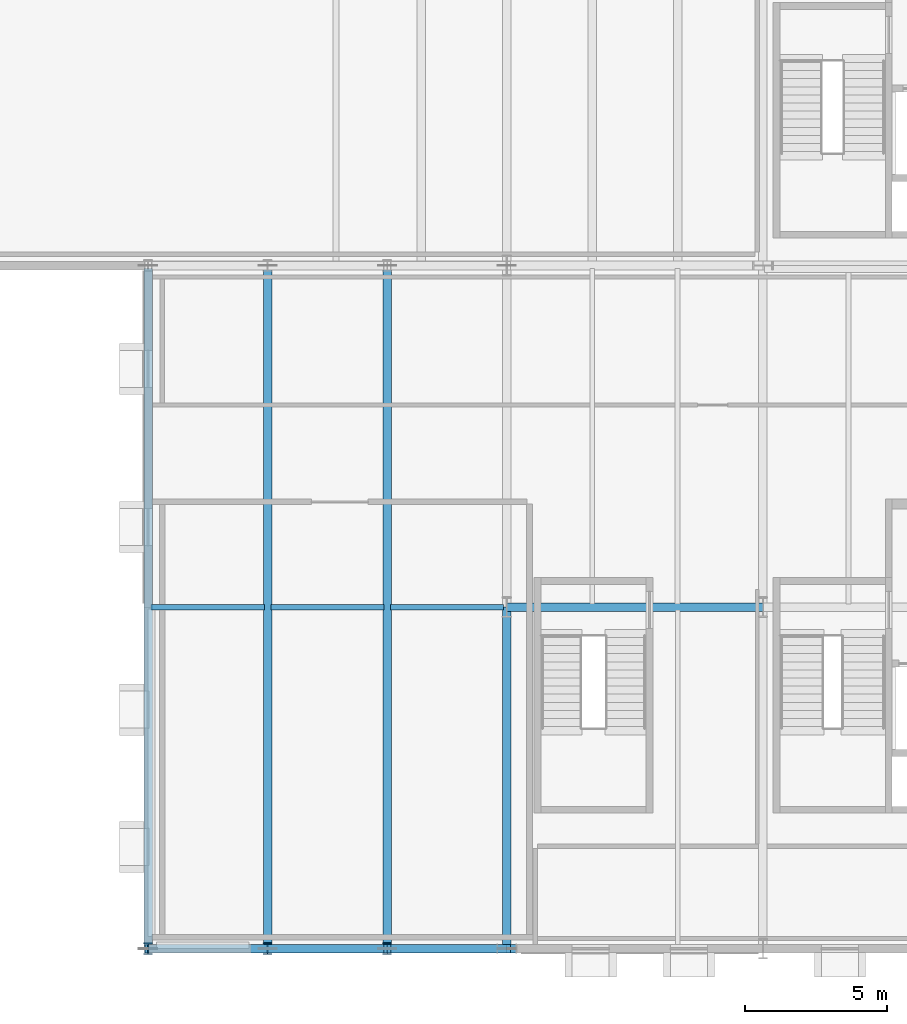
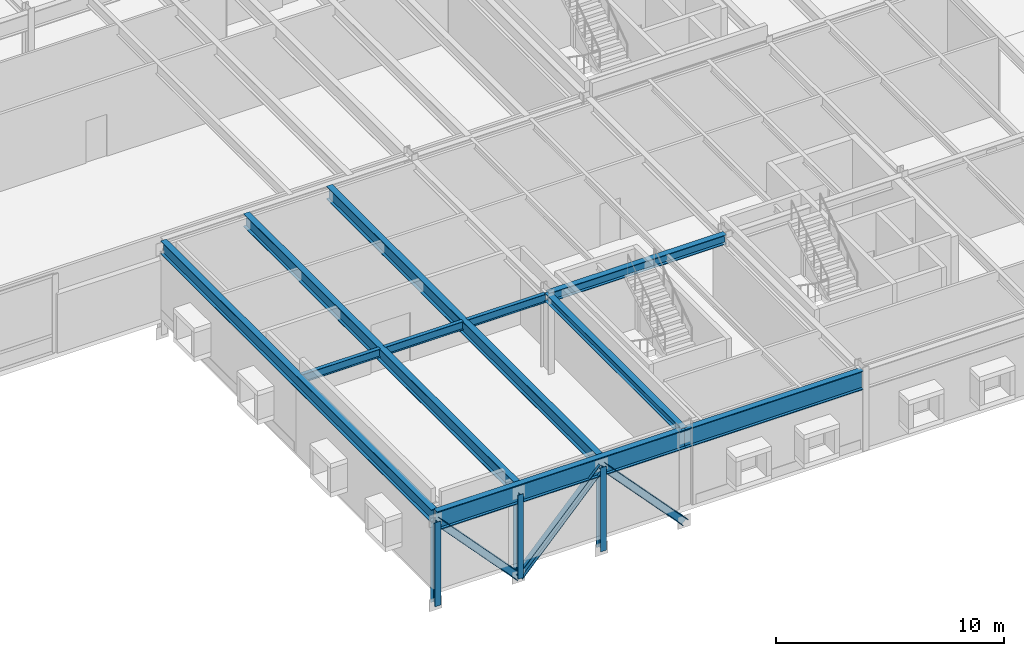
# One storey, part 16 of 115: 10 beams, 6 members.
"""IFC4 building model written with IfcOpenShell, lengths in metres."""

from ifc_helpers import new_model, si_unit, direction, frame, origin, origin_2d, place, context, subcontext, project, spatial, i_section, extrude, material, material_profile, profile_set, type_object, element, save


model = new_model("IFC4")

# Units and contexts
model_context = context("Model", 3, precision=1e-05, world=origin(), true_north=direction((0.0, 1.0)))
body_context = subcontext(model_context, "Body", "Model", "MODEL_VIEW")
ifc_project = project(units=[si_unit("LENGTHUNIT", "METRE"), si_unit("AREAUNIT", "SQUARE_METRE"), si_unit("VOLUMEUNIT", "CUBIC_METRE"), si_unit("PLANEANGLEUNIT", "RADIAN"), si_unit("MASSUNIT", "GRAM", prefix="KILO")], contexts=[model_context])

# Site, building, storey
site_placement = place(None, origin())
site = spatial("IfcSite", under=ifc_project, at=site_placement, CompositionType="ELEMENT")
building_placement = place(site_placement, origin())
building = spatial("IfcBuilding", under=site, at=building_placement, Name="Montelvaro Courts of Justice", CompositionType="ELEMENT")
storey_placement = place(building_placement, frame((0.0, 0.0, 9.89990234375)))
storey = spatial("IfcBuildingStorey", under=building, at=storey_placement, Name="L02", CompositionType="ELEMENT", Elevation=9.89990234375)

# Beams
ifc_material = material(Name="Steel S355", Category="steel")
ifc_material_profile_1 = material_profile(ifc_material, i_section(OverallWidth=0.300048828125, OverallDepth=0.43994140625, WebThickness=0.011474609375, FlangeThickness=0.02099609375, at=origin_2d()), Name="HEA 450")
ifc_profile_set_1 = profile_set([ifc_material_profile_1], Name="Steel S355")
beam_type_1 = type_object("IfcBeamType", Name="Beam_HEA450", PredefinedType="USERDEFINED", material=ifc_profile_set_1)
beam_1_placement = place(storey_placement, frame((45.0, 0.0, 3.960205078125), z_axis=(0.0, 1.0, 0.0), x_axis=(-1.0, 0.0, 0.0)))
element("IfcBeam", 1, at=beam_1_placement, inside=storey, type_object=beam_type_1, Name="Beam B-18 L02", ObjectType="GIRDER", PredefinedType="USERDEFINED", context=body_context, shape_type="SweptSolid", body=[
    extrude(i_section(OverallWidth=0.300048828125, OverallDepth=0.43994140625, WebThickness=0.011474609375, FlangeThickness=0.02099609375, at=origin_2d()), origin(), (0.0, 0.0, 1.0), 12.0),
])
ifc_material_profile_2 = material_profile(ifc_material, i_section(OverallWidth=0.300048828125, OverallDepth=0.5, WebThickness=0.014404296875, FlangeThickness=0.028076171875, at=origin_2d()), Name="HEB 500")
ifc_profile_set_2 = profile_set([ifc_material_profile_2], Name="Steel S355")
beam_type_2 = type_object("IfcBeamType", Name="Beam_HEB500", PredefinedType="USERDEFINED", material=ifc_profile_set_2)
beam_2_placement = place(storey_placement, frame((45.0, 12.0, 3.93017578125), z_axis=(1.0, 0.0, 0.0), x_axis=(0.0, 1.0, 0.0)))
element("IfcBeam", 2, at=beam_2_placement, inside=storey, type_object=beam_type_2, Name="Beam B-25 L02", ObjectType="GIRDER", PredefinedType="USERDEFINED", context=body_context, shape_type="SweptSolid", body=[
    extrude(i_section(OverallWidth=0.300048828125, OverallDepth=0.5, WebThickness=0.014404296875, FlangeThickness=0.028076171875, at=origin_2d()), origin(), (0.0, 0.0, 1.0), 9.0),
])
ifc_material_profile_3 = material_profile(ifc_material, i_section(OverallWidth=0.300048828125, OverallDepth=0.699951171875, WebThickness=0.01708984375, FlangeThickness=0.031982421875, at=origin_2d()), Name="HEB 700")
ifc_profile_set_3 = profile_set([ifc_material_profile_3], Name="Steel S355")
beam_type_3 = type_object("IfcBeamType", Name="Beam_HEB700", PredefinedType="USERDEFINED", material=ifc_profile_set_3)
for number, where, z_axis, x_axis, name in (
    (3, (40.800048828125, 0.110107421875, 3.81005859375), (0.0, 1.0, 0.0), (-1.0, 0.0, 0.0), "Beam B-28 L02"),
    (4, (36.60009765625, 0.110107421875, 3.81005859375), (0.0, 1.0, 0.0), (-1.0, 0.0, 0.0), "Beam B-28 L02"),
    (5, (32.39990234375, 0.110107421875, 3.81005859375), (0.0, 1.0, 0.0), (-1.0, 0.0, 0.0), "Beam B-28 L02"),
):
    element("IfcBeam", number, at=place(storey_placement, frame(where, z_axis=z_axis, x_axis=x_axis)), inside=storey, type_object=beam_type_3, Name=name, ObjectType="GIRDER", PredefinedType="USERDEFINED", context=body_context, shape_type="SweptSolid", body=[
        extrude(i_section(OverallWidth=0.300048828125, OverallDepth=0.699951171875, WebThickness=0.01708984375, FlangeThickness=0.031982421875, at=origin_2d()), origin(), (0.0, 0.0, 1.0), 23.77978515625),
    ])
ifc_material_profile_4 = material_profile(ifc_material, i_section(OverallWidth=0.302001953125, OverallDepth=1.008056640625, WebThickness=0.02099609375, FlangeThickness=0.0400390625, at=origin_2d()), Name="HEM 1000")
ifc_profile_set_4 = profile_set([ifc_material_profile_4], Name="Steel S355")
beam_type_4 = type_object("IfcBeamType", Name="Beam_HEM1000", PredefinedType="USERDEFINED", material=ifc_profile_set_4)
beam_3_placement = place(storey_placement, frame((54.0, 0.0, 3.656005859375), z_axis=(-1.0, 0.0, 0.0), x_axis=(0.0, -1.0, 0.0)))
element("IfcBeam", 6, at=beam_3_placement, inside=storey, type_object=beam_type_4, Name="Pratt Cantilever Truss Chord CTR-BAR1-S-L03-BS3", ObjectType="GIRDER", PredefinedType="USERDEFINED", context=body_context, shape_type="SweptSolid", body=[
    extrude(i_section(OverallWidth=0.302001953125, OverallDepth=1.008056640625, WebThickness=0.02099609375, FlangeThickness=0.0400390625, at=origin_2d()), origin(), (0.0, 0.0, 1.0), 9.0),
])
beam_4_placement = place(storey_placement, frame((45.0, 0.0, 3.656005859375), z_axis=(-1.0, 0.0, 0.0), x_axis=(0.0, -1.0, 0.0)))
element("IfcBeam", 7, at=beam_4_placement, inside=storey, type_object=beam_type_4, Name="Pratt Cantilever Truss Chord CTR-BAR1-S-L03-OVH", ObjectType="GIRDER", PredefinedType="USERDEFINED", context=body_context, shape_type="SweptSolid", body=[
    extrude(i_section(OverallWidth=0.302001953125, OverallDepth=1.008056640625, WebThickness=0.02099609375, FlangeThickness=0.0400390625, at=origin_2d()), origin(), (0.0, 0.0, 1.0), 12.60009765625),
])
ifc_material_profile_5 = material_profile(ifc_material, i_section(OverallWidth=0.18994140625, OverallDepth=0.449951171875, WebThickness=0.009521484375, FlangeThickness=0.0146484375, at=origin_2d()), Name="IPE 450")
ifc_profile_set_5 = profile_set([ifc_material_profile_5], Name="Steel S355")
beam_type_5 = type_object("IfcBeamType", Name="Beam_IPE450", PredefinedType="BEAM", material=ifc_profile_set_5)
for number, where, z_axis, x_axis, name in (
    (8, (40.909912109375, 12.0, 3.93505859375), (1.0, 0.0, 0.0), (0.0, 1.0, 0.0), "Beam B-09 L02"),
    (9, (36.7099609375, 12.0, 3.93505859375), (1.0, 0.0, 0.0), (0.0, 1.0, 0.0), "Beam B-09 L02"),
    (10, (32.510009765625, 12.0, 3.93505859375), (1.0, 0.0, 0.0), (0.0, 1.0, 0.0), "Beam B-09 L02"),
):
    element("IfcBeam", number, at=place(storey_placement, frame(where, z_axis=z_axis, x_axis=x_axis)), inside=storey, type_object=beam_type_5, Name=name, PredefinedType="BEAM", context=body_context, shape_type="SweptSolid", body=[
        extrude(i_section(OverallWidth=0.18994140625, OverallDepth=0.449951171875, WebThickness=0.009521484375, FlangeThickness=0.0146484375, at=origin_2d()), origin(), (0.0, 0.0, 1.0), 3.97998046875),
    ])

# Members
ifc_material_profile_6 = material_profile(ifc_material, i_section(OverallWidth=0.300048828125, OverallDepth=0.360107421875, WebThickness=0.012451171875, FlangeThickness=0.0224609375, at=origin_2d()), Name="HEB 360")
ifc_profile_set_6 = profile_set([ifc_material_profile_6], Name="Steel S355")
member_type_1 = type_object("IfcMemberType", Name="Mem_HEB360_Brace", PredefinedType="BRACE", material=ifc_profile_set_6)
for number, where, z_axis, x_axis, name in (
    (11, (45.0, 0.0, -0.843994140625), (-0.682314010889, 0.0, 0.73105922506), (0.0, -1.0, 0.0), "Pratt Cantilever Truss Diagonal MB-01 CTR-BAR1-S-L02-D4"),
    (12, (40.800048828125, 0.0, 3.656005859375), (-0.682314010889, 0.0, -0.73105922506), (0.0, -1.0, 0.0), "Pratt Cantilever Truss Diagonal MB-01 CTR-BAR1-S-L02-D5"),
    (13, (36.60009765625, 0.0, -0.843994140625), (-0.682335207557, 0.0, 0.731039441158), (0.0, -1.0, 0.0), "Pratt Cantilever Truss Diagonal MB-01 CTR-BAR1-S-L02-D6"),
):
    element("IfcMember", number, at=place(storey_placement, frame(where, z_axis=z_axis, x_axis=x_axis)), inside=storey, type_object=member_type_1, Name=name, PredefinedType="BRACE", context=body_context, shape_type="SweptSolid", body=[
        extrude(i_section(OverallWidth=0.300048828125, OverallDepth=0.360107421875, WebThickness=0.012451171875, FlangeThickness=0.0224609375, at=origin_2d()), origin(), (0.0, 0.0, 1.0), 6.155517578125),
    ])
ifc_material_profile_7 = material_profile(ifc_material, i_section(OverallWidth=0.300048828125, OverallDepth=0.39990234375, WebThickness=0.013427734375, FlangeThickness=0.02392578125, at=origin_2d()), Name="HEB 400")
ifc_profile_set_7 = profile_set([ifc_material_profile_7], Name="Steel S355")
member_type_2 = type_object("IfcMemberType", Name="Mem_HEB400_Post", PredefinedType="POST", material=ifc_profile_set_7)
for number, where, z_axis, x_axis, name in (
    (14, (40.800048828125, 0.0, -0.843994140625), (0.0, 0.0, 1.0), (1.0, 0.0, 0.0), "Pratt Cantilever Truss Post MP-01 CTR-BAR1-S-L02-1"),
    (15, (36.60009765625, 0.0, -0.843994140625), (0.0, 0.0, 1.0), (1.0, 0.0, 0.0), "Pratt Cantilever Truss Post MP-01 CTR-BAR1-S-L02-2"),
    (16, (32.39990234375, 0.0, -0.843994140625), (0.0, 0.0, 1.0), (1.0, 0.0, 0.0), "Pratt Cantilever Truss Post MP-01 CTR-BAR1-S-L02-3"),
):
    element("IfcMember", number, at=place(storey_placement, frame(where, z_axis=z_axis, x_axis=x_axis)), inside=storey, type_object=member_type_2, Name=name, PredefinedType="POST", context=body_context, shape_type="SweptSolid", body=[
        extrude(i_section(OverallWidth=0.300048828125, OverallDepth=0.39990234375, WebThickness=0.013427734375, FlangeThickness=0.02392578125, at=origin_2d()), origin(), (0.0, 0.0, 1.0), 4.5),
    ])

save(model, "model.ifc")
